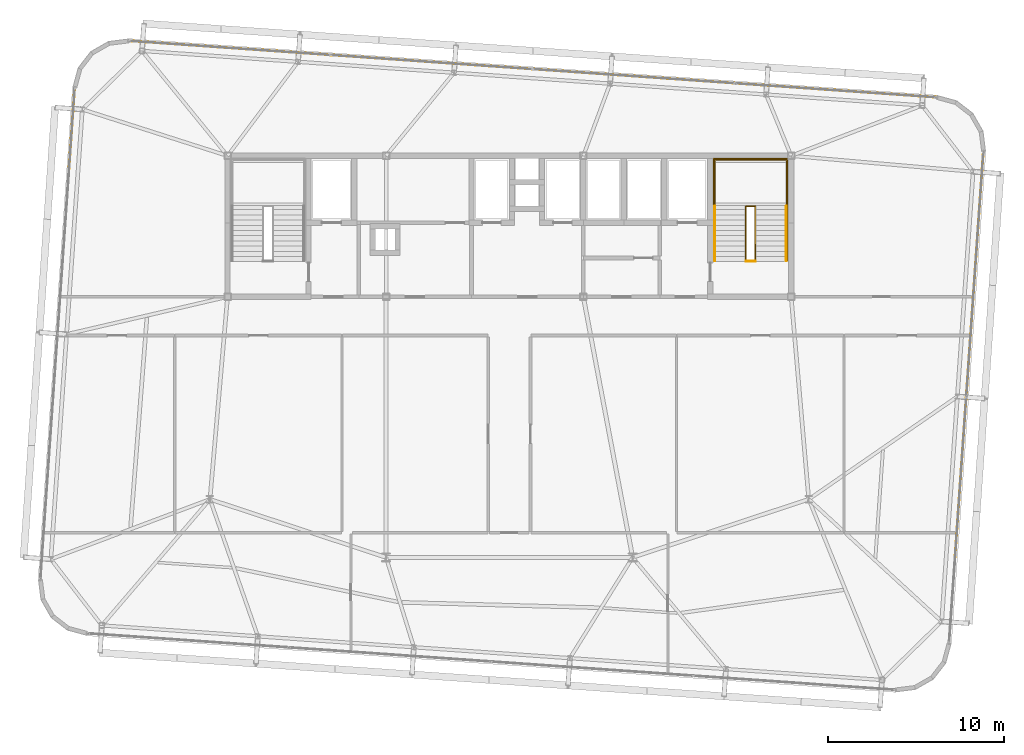
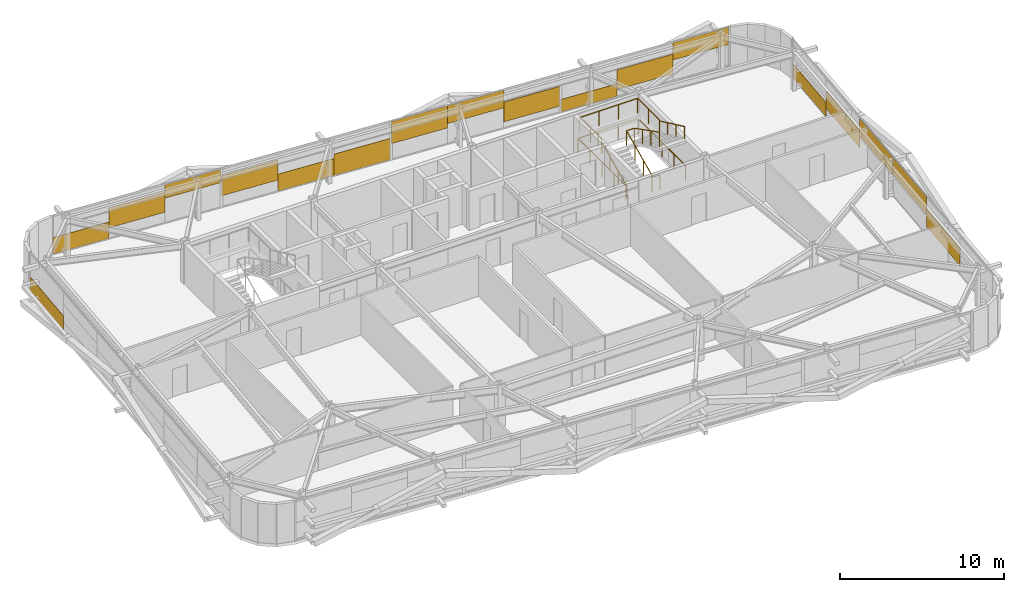
# One storey, part 39 of 39: 18 coverings, 6 railings.
"""IFC4 building model written with IfcOpenShell, lengths in metres."""

import ifcopenshell
import ifcopenshell.guid

model = None  # the IFC model being written
_history = None  # IfcOwnerHistory: only IFC2X3 demands one
_inside = {}  # id of a spatial element -> (the spatial element, [elements in it])
_under = {}  # id of a project, library or spatial element -> (it, [spatial elements below it])
_declared = {}  # id of a project -> (the project, [libraries it declares])
_typed = {}  # id of a type object -> (the type object, [elements of that type])
_made_of = {}  # id of a material, layer set ... -> (it, [elements and type objects made of it])


def new_model(schema):
    """Start an empty IFC model of exactly this schema.

    Asked for "IFC4X3", IfcOpenShell would pick the latest addendum, in which some entities
    have other attributes; the version numbers below select the first issue.
    IFC2X3 requires an IfcOwnerHistory on every rooted entity: one is made here for all.
    """
    global model, _history
    if schema == "IFC4X3":
        model = ifcopenshell.file(schema_version=(4, 3, 0, 0))
    else:
        model = ifcopenshell.file(schema=schema)
    _inside.clear()
    _under.clear()
    _declared.clear()
    _typed.clear()
    _made_of.clear()
    _history = None
    if model.schema == "IFC2X3":
        org = make("IfcOrganization", Name="unknown")
        user = make(
            "IfcPersonAndOrganization",
            ThePerson=make("IfcPerson", FamilyName="unknown"),
            TheOrganization=org,
        )
        app = make(
            "IfcApplication",
            ApplicationDeveloper=org,
            Version="unknown",
            ApplicationFullName="unknown",
            ApplicationIdentifier="unknown",
        )
        _history = make(
            "IfcOwnerHistory",
            OwningUser=user,
            OwningApplication=app,
            ChangeAction="ADDED",
            CreationDate=0,
        )
    return model


def make(cls, **values):
    """One entity of the class cls with the attributes given. An attribute that is None is left unset."""
    return model.create_entity(
        cls, **{name: value for name, value in values.items() if value is not None}
    )


def rooted(cls, **values):
    """An entity with a GlobalId (a new one), such as an element, a storey or a relation."""
    return make(cls, GlobalId=ifcopenshell.guid.new(), OwnerHistory=_history, **values)


def si_unit(unit_type, name, prefix=None):
    """IfcSIUnit, for example si_unit("LENGTHUNIT", "METRE", prefix="MILLI")."""
    return make("IfcSIUnit", UnitType=unit_type, Prefix=prefix, Name=name)


def assignment(units):
    """IfcUnitAssignment: the units of a project."""
    return None if units is None else make("IfcUnitAssignment", Units=units)


def point(xyz):
    """IfcCartesianPoint."""
    return None if xyz is None else make("IfcCartesianPoint", Coordinates=xyz)


def direction(xyz):
    """IfcDirection."""
    return None if xyz is None else make("IfcDirection", DirectionRatios=xyz)


def frame(location, z_axis=None, x_axis=None):
    """IfcAxis2Placement3D, a coordinate frame: its origin and axes. An axis left out is left unset."""
    return make(
        "IfcAxis2Placement3D",
        Location=point(location),
        Axis=direction(z_axis),
        RefDirection=direction(x_axis),
    )


def frame_2d(location, x_axis=None):
    """IfcAxis2Placement2D, a coordinate frame in the plane: its origin and x axis."""
    return make(
        "IfcAxis2Placement2D", Location=point(location), RefDirection=direction(x_axis)
    )


def origin():
    """The frame at (0, 0, 0) with its axes left unset."""
    return frame((0.0, 0.0, 0.0))


def origin_2d():
    """The frame at (0, 0) in the plane with its x axis left unset."""
    return frame_2d((0.0, 0.0))


def place(relative_to, where):
    """IfcLocalPlacement: puts the frame where relative to a parent placement (None: the world)."""
    return make(
        "IfcLocalPlacement", PlacementRelTo=relative_to, RelativePlacement=where
    )


def context(
    kind, dimensions, precision=None, world=None, true_north=None, identifier=None
):
    """IfcGeometricRepresentationContext, for example the 3D "Model" context."""
    return make(
        "IfcGeometricRepresentationContext",
        ContextIdentifier=identifier,
        ContextType=kind,
        CoordinateSpaceDimension=dimensions,
        Precision=precision,
        WorldCoordinateSystem=world,
        TrueNorth=true_north,
    )


def subcontext(parent, identifier, kind, view, scale=None):
    """IfcGeometricRepresentationSubContext, for example "Body" below "Model"."""
    return make(
        "IfcGeometricRepresentationSubContext",
        ContextIdentifier=identifier,
        ContextType=kind,
        ParentContext=parent,
        TargetScale=scale,
        TargetView=view,
    )


def project(units=None, contexts=None):
    """IfcProject with its units and contexts."""
    return rooted(
        "IfcProject",
        Name="project",
        RepresentationContexts=contexts,
        UnitsInContext=assignment(units),
    )


def spatial(cls, under=None, at=None, **own):
    """A site, building, storey or space (cls), placed at a placement, below another one or the project."""
    s = rooted(cls, ObjectPlacement=at, **own)
    if under is not None:
        _under.setdefault(under.id(), (under, []))[1].append(s)
    return s


def profile(cls, at=None, kind="AREA", **sizes):
    """A parametric profile (cls). Its sizes go by their IFC names, for example OverallWidth=200.0."""
    return make(cls, ProfileType=kind, Position=at, **sizes)


def rectangle(**sizes):
    """IfcRectangleProfileDef."""
    return profile("IfcRectangleProfileDef", **sizes)


def extrude(swept, where, along, depth):
    """IfcExtrudedAreaSolid: the profile swept, set in the frame where, extruded along a direction by depth."""
    return make(
        "IfcExtrudedAreaSolid",
        SweptArea=swept,
        Position=where,
        ExtrudedDirection=direction(along),
        Depth=depth,
    )


def shape(context_of_items, identifier, shape_type, items):
    """IfcShapeRepresentation: the items that make up one representation, for example the "Body"."""
    return make(
        "IfcShapeRepresentation",
        ContextOfItems=context_of_items,
        RepresentationIdentifier=identifier,
        RepresentationType=shape_type,
        Items=items,
    )


def source(mapping_origin, context_of_items, identifier, shape_type, items):
    """IfcRepresentationMap: a shape defined once, which mapped items show again and again."""
    return make(
        "IfcRepresentationMap",
        MappingOrigin=mapping_origin,
        MappedRepresentation=shape(context_of_items, identifier, shape_type, items),
    )


def transform(
    local_origin,
    x_axis=None,
    y_axis=None,
    z_axis=None,
    scale=None,
    scale2=None,
    scale3=None,
    uniform=True,
):
    """IfcCartesianTransformationOperator3D, or its non-uniform kind. x_axis, y_axis, z_axis: its Axis1, 2, 3."""
    if uniform:
        return make(
            "IfcCartesianTransformationOperator3D",
            Axis1=direction(x_axis),
            Axis2=direction(y_axis),
            LocalOrigin=point(local_origin),
            Scale=scale,
            Axis3=direction(z_axis),
        )
    return make(
        "IfcCartesianTransformationOperator3DnonUniform",
        Axis1=direction(x_axis),
        Axis2=direction(y_axis),
        LocalOrigin=point(local_origin),
        Scale=scale,
        Axis3=direction(z_axis),
        Scale2=scale2,
        Scale3=scale3,
    )


def mapped(mapping_source, mapping_target):
    """IfcMappedItem: shows the shape of a source again, moved by a transform."""
    return make(
        "IfcMappedItem", MappingSource=mapping_source, MappingTarget=mapping_target
    )


def material(Name=None, Category=None):
    """IfcMaterial."""
    return make("IfcMaterial", Name=Name, Category=Category)


def layer(
    of_material, thickness, ventilated=None, Name=None, Category=None, Priority=None
):
    """IfcMaterialLayer: one layer of a wall or slab, of a material (None: an air gap)."""
    return make(
        "IfcMaterialLayer",
        Material=of_material,
        LayerThickness=thickness,
        IsVentilated=ventilated,
        Name=Name,
        Category=Category,
        Priority=Priority,
    )


def layer_set(layers, Name=None):
    """IfcMaterialLayerSet."""
    return make("IfcMaterialLayerSet", MaterialLayers=layers, LayerSetName=Name)


def made_of(thing, what):
    """Note that an element or type object is made of a material, layer set ...; save() writes the relation."""
    if what is not None:
        _made_of.setdefault(what.id(), (what, []))[1].append(thing)
    return thing


def type_object(cls, material=None, **own):
    """A type object (cls), such as IfcWallType, which elements share."""
    return made_of(rooted(cls, **own), material)


def element(
    cls,
    number,
    at=None,
    inside=None,
    cuts=None,
    type_object=None,
    material=None,
    context=None,
    identifier="Body",
    shape_type=None,
    held_by="IfcProductDefinitionShape",
    body=None,
    shapes=None,
    **own,
):
    """One element of the class cls, such as IfcWall. Its Tag is "e" and its number.

    at: its placement. inside: the storey or other place that contains it. cuts: it is an
    opening in that element (IfcRelVoidsElement). A single representation is given by context,
    identifier, shape_type and body (its items); several are given by shapes. held_by: the class
    of the entity that holds the representations. save() writes the other relations.
    """
    e = rooted(cls, Tag="e%d" % number, ObjectPlacement=at, **own)
    if body is not None:
        shapes = [shape(context, identifier, shape_type, body)]
    if shapes is not None:
        e.Representation = make(held_by, Representations=shapes)
    if inside is not None:
        _inside.setdefault(inside.id(), (inside, []))[1].append(e)
    if cuts is not None:
        rooted(
            "IfcRelVoidsElement", RelatingBuildingElement=cuts, RelatedOpeningElement=e
        )
    if type_object is not None:
        _typed.setdefault(type_object.id(), (type_object, []))[1].append(e)
    return made_of(e, material)


def aggregate(whole, parts):
    """IfcRelAggregates: a whole, such as a stair, and the parts it consists of."""
    return rooted("IfcRelAggregates", RelatingObject=whole, RelatedObjects=parts)


def save(model, path):
    """Write the relations noted so far, then the file.

    IfcRelAggregates (storeys below a building ...), IfcRelContainedInSpatialStructure (elements
    in a storey), IfcRelDefinesByType, IfcRelAssociatesMaterial and IfcRelDeclares: one each for
    every whole, place, type object, material and project.
    """
    for whole, parts in _under.values():
        aggregate(whole, parts)
    for where, things in _inside.values():
        rooted(
            "IfcRelContainedInSpatialStructure",
            RelatedElements=things,
            RelatingStructure=where,
        )
    for kind, things in _typed.values():
        rooted("IfcRelDefinesByType", RelatedObjects=things, RelatingType=kind)
    for what, things in _made_of.values():
        rooted("IfcRelAssociatesMaterial", RelatedObjects=things, RelatingMaterial=what)
    for by, libraries in _declared.values():
        rooted("IfcRelDeclares", RelatingContext=by, RelatedDefinitions=libraries)
    model.write(path)


model = new_model("IFC4")

# Units and contexts
model_context = context("Model", 3, precision=1e-05, world=origin(), true_north=direction((0.0, 1.0)))
body_context = subcontext(model_context, "Body", "Model", "MODEL_VIEW")
ifc_project = project(units=[si_unit("LENGTHUNIT", "METRE"), si_unit("AREAUNIT", "SQUARE_METRE"), si_unit("VOLUMEUNIT", "CUBIC_METRE"), si_unit("PLANEANGLEUNIT", "RADIAN"), si_unit("MASSUNIT", "GRAM", prefix="KILO")], contexts=[model_context])

# Site, building, storey
site_placement = place(None, origin())
site = spatial("IfcSite", under=ifc_project, at=site_placement, CompositionType="ELEMENT")
building_placement = place(site_placement, origin())
building = spatial("IfcBuilding", under=site, at=building_placement, Name="Taldren Reach Tower", CompositionType="ELEMENT")
storey_placement = place(building_placement, frame((0.0, 0.0, 126.699951171875)))
storey = spatial("IfcBuildingStorey", under=building, at=storey_placement, Name="L38", CompositionType="ELEMENT", Elevation=126.699951171875)

# Railings
ifc_material_1 = material(Name="Steel Gr 350 (C350L0)", Category="steel")
ifc_layer_1 = layer(ifc_material_1, 0.050048828125)
ifc_layer_set_1 = layer_set([ifc_layer_1], Name="Steel Gr 350 (C350L0)")
railing_type_1 = type_object("IfcRailingType", Name="RL-STAIR-GR", PredefinedType="GUARDRAIL", material=ifc_layer_set_1)
railing_1_placement = place(storey_placement, frame((46.659912109375, 29.135009765625, 1.574951171875)))
element("IfcRailing", 1, at=railing_1_placement, inside=storey, type_object=railing_type_1, Name="Stair half-landing perimeter guard ST2-L38", PredefinedType="GUARDRAIL", context=body_context, shape_type="SweptSolid", body=[
    extrude(rectangle(XDim=0.047852, YDim=0.047852, at=origin_2d()), frame((0.0, 0.0, 1.09619140625), z_axis=(0.0, 1.0, 0.0), x_axis=(-1.0, 0.0, 0.0)), (0.0, 0.0, 1.0), 2.64501953125),
    extrude(rectangle(XDim=0.047852, YDim=0.047852, at=origin_2d()), frame((0.0, 2.64501953125, 1.09619140625), z_axis=(1.0, 0.0, 0.0), x_axis=(0.0, 1.0, 0.0)), (0.0, 0.0, 1.0), 4.080078125),
    extrude(rectangle(XDim=0.047852, YDim=0.047852, at=origin_2d()), frame((4.080078125, 2.64501953125, 1.09619140625), z_axis=(0.0, -1.0, 0.0), x_axis=(1.0, 0.0, 0.0)), (0.0, 0.0, 1.0), 2.64501953125),
    extrude(rectangle(XDim=0.041992, YDim=0.041992, at=origin_2d()), origin(), (0.0, 0.0, 1.0), 1.072021484375),
    extrude(rectangle(XDim=0.041992, YDim=0.041992, at=origin_2d()), frame((0.0, 1.322509765625, 0.0)), (0.0, 0.0, 1.0), 1.072021484375),
    extrude(rectangle(XDim=0.041992, YDim=0.041992, at=origin_2d()), frame((0.0, 2.64501953125, 0.0)), (0.0, 0.0, 1.0), 1.072021484375),
    extrude(rectangle(XDim=0.041992, YDim=0.041992, at=origin_2d()), frame((1.360107421875, 2.64501953125, 0.0)), (0.0, 0.0, 1.0), 1.072021484375),
    extrude(rectangle(XDim=0.041992, YDim=0.041992, at=origin_2d()), frame((2.719970703125, 2.64501953125, 0.0)), (0.0, 0.0, 1.0), 1.072021484375),
    extrude(rectangle(XDim=0.041992, YDim=0.041992, at=origin_2d()), frame((4.080078125, 2.64501953125, 0.0)), (0.0, 0.0, 1.0), 1.072021484375),
    extrude(rectangle(XDim=0.041992, YDim=0.041992, at=origin_2d()), frame((4.080078125, 1.322509765625, 0.0)), (0.0, 0.0, 1.0), 1.072021484375),
    extrude(rectangle(XDim=0.041992, YDim=0.041992, at=origin_2d()), frame((4.080078125, 0.0, 0.0)), (0.0, 0.0, 1.0), 1.072021484375),
])
railing_2_placement = place(storey_placement, frame((48.429931640625, 26.050048828125, 0.13134765625)))
element("IfcRailing", 2, at=railing_2_placement, inside=storey, type_object=railing_type_1, Name="Stairwell inner guard ST2-L38", PredefinedType="GUARDRAIL", context=body_context, shape_type="SweptSolid", body=[
    extrude(rectangle(XDim=0.047852, YDim=0.047852, at=origin_2d()), frame((0.0, 0.0, 1.09619140625), z_axis=(0.0, 0.905737652094, 0.423838773095), x_axis=(-1.0, 0.0, 0.0)), (0.0, 0.0, 1.0), 3.406005859375),
    extrude(rectangle(XDim=0.047852, YDim=0.047852, at=origin_2d()), frame((0.0, 3.0849609375, 2.53955078125), z_axis=(1.0, 0.0, 0.0), x_axis=(0.0, 1.0, 0.0)), (0.0, 0.0, 1.0), 0.5400390625),
    extrude(rectangle(XDim=0.047852, YDim=0.047852, at=origin_2d()), frame((0.5400390625, 3.0849609375, 2.53955078125), z_axis=(0.0, -0.890617412389, 0.454753366946), x_axis=(1.0, 0.0, 0.0)), (0.0, 0.0, 1.0), 3.4638671875),
    extrude(rectangle(XDim=0.041992, YDim=0.041992, at=origin_2d()), origin(), (0.0, 0.0, 1.0), 1.072021484375),
    extrude(rectangle(XDim=0.041992, YDim=0.041992, at=origin_2d()), frame((0.0, 1.0283203125, 0.481201171875)), (0.0, 0.0, 1.0), 1.072021484375),
    extrude(rectangle(XDim=0.041992, YDim=0.041992, at=origin_2d()), frame((0.0, 2.056640625, 0.96240234375)), (0.0, 0.0, 1.0), 1.072021484375),
    extrude(rectangle(XDim=0.041992, YDim=0.041992, at=origin_2d()), frame((0.0, 3.0849609375, 1.443603515625)), (0.0, 0.0, 1.0), 1.072021484375),
    extrude(rectangle(XDim=0.041992, YDim=0.041992, at=origin_2d()), frame((0.5400390625, 3.0849609375, 1.443603515625)), (0.0, 0.0, 1.0), 1.072021484375),
    extrude(rectangle(XDim=0.041992, YDim=0.041992, at=origin_2d()), frame((0.5400390625, 2.056640625, 1.96875)), (0.0, 0.0, 1.0), 1.072021484375),
    extrude(rectangle(XDim=0.041992, YDim=0.041992, at=origin_2d()), frame((0.5400390625, 1.0283203125, 2.49365234375)), (0.0, 0.0, 1.0), 1.072021484375),
    extrude(rectangle(XDim=0.041992, YDim=0.041992, at=origin_2d()), frame((0.5400390625, 0.0, 3.018798828125)), (0.0, 0.0, 1.0), 1.072021484375),
])
railing_3_placement = place(storey_placement, frame((48.429931640625, 26.010009765625, 0.0)))
element("IfcRailing", 3, at=railing_3_placement, inside=storey, type_object=railing_type_1, Name="Stairwell landing slot guard ST2-L38", PredefinedType="GUARDRAIL", context=body_context, shape_type="SweptSolid", body=[
    extrude(rectangle(XDim=0.047852, YDim=0.047852, at=origin_2d()), frame((0.0, 0.0, 1.09619140625), z_axis=(1.0, 0.0, 0.0), x_axis=(0.0, 1.0, 0.0)), (0.0, 0.0, 1.0), 0.5400390625),
    extrude(rectangle(XDim=0.041992, YDim=0.041992, at=origin_2d()), origin(), (0.0, 0.0, 1.0), 1.072021484375),
    extrude(rectangle(XDim=0.041992, YDim=0.041992, at=origin_2d()), frame((0.5400390625, 0.0, 0.0)), (0.0, 0.0, 1.0), 1.072021484375),
])
railing_4_placement = place(storey_placement, frame((46.590087890625, 26.050048828125, 0.0)))
element("IfcRailing", 4, at=railing_4_placement, inside=storey, type_object=railing_type_1, Name="Stairwell floor opening guard ST2-L38", PredefinedType="GUARDRAIL", context=body_context, shape_type="SweptSolid", body=[
    extrude(rectangle(XDim=0.047852, YDim=0.047852, at=origin_2d()), frame((0.0, 0.0, 1.09619140625), z_axis=(0.0, 1.0, 0.0), x_axis=(-1.0, 0.0, 0.0)), (0.0, 0.0, 1.0), 5.800048828125),
    extrude(rectangle(XDim=0.047852, YDim=0.047852, at=origin_2d()), frame((0.0, 5.800048828125, 1.09619140625), z_axis=(1.0, 0.0, 0.0), x_axis=(0.0, 1.0, 0.0)), (0.0, 0.0, 1.0), 4.219970703125),
    extrude(rectangle(XDim=0.047852, YDim=0.047852, at=origin_2d()), frame((4.219970703125, 5.800048828125, 1.09619140625), z_axis=(0.0, -1.0, 0.0), x_axis=(1.0, 0.0, 0.0)), (0.0, 0.0, 1.0), 5.800048828125),
    extrude(rectangle(XDim=0.041992, YDim=0.041992, at=origin_2d()), origin(), (0.0, 0.0, 1.0), 1.072021484375),
    extrude(rectangle(XDim=0.041992, YDim=0.041992, at=origin_2d()), frame((0.0, 1.449951171875, 0.0)), (0.0, 0.0, 1.0), 1.072021484375),
    extrude(rectangle(XDim=0.041992, YDim=0.041992, at=origin_2d()), frame((0.0, 2.89990234375, 0.0)), (0.0, 0.0, 1.0), 1.072021484375),
    extrude(rectangle(XDim=0.041992, YDim=0.041992, at=origin_2d()), frame((0.0, 4.35009765625, 0.0)), (0.0, 0.0, 1.0), 1.072021484375),
    extrude(rectangle(XDim=0.041992, YDim=0.041992, at=origin_2d()), frame((0.0, 5.800048828125, 0.0)), (0.0, 0.0, 1.0), 1.072021484375),
    extrude(rectangle(XDim=0.041992, YDim=0.041992, at=origin_2d()), frame((1.40673828125, 5.800048828125, 0.0)), (0.0, 0.0, 1.0), 1.072021484375),
    extrude(rectangle(XDim=0.041992, YDim=0.041992, at=origin_2d()), frame((2.813232421875, 5.800048828125, 0.0)), (0.0, 0.0, 1.0), 1.072021484375),
    extrude(rectangle(XDim=0.041992, YDim=0.041992, at=origin_2d()), frame((4.219970703125, 5.800048828125, 0.0)), (0.0, 0.0, 1.0), 1.072021484375),
    extrude(rectangle(XDim=0.041992, YDim=0.041992, at=origin_2d()), frame((4.219970703125, 4.35009765625, 0.0)), (0.0, 0.0, 1.0), 1.072021484375),
    extrude(rectangle(XDim=0.041992, YDim=0.041992, at=origin_2d()), frame((4.219970703125, 2.89990234375, 0.0)), (0.0, 0.0, 1.0), 1.072021484375),
    extrude(rectangle(XDim=0.041992, YDim=0.041992, at=origin_2d()), frame((4.219970703125, 1.449951171875, 0.0)), (0.0, 0.0, 1.0), 1.072021484375),
    extrude(rectangle(XDim=0.041992, YDim=0.041992, at=origin_2d()), frame((4.219970703125, 0.0, 0.0)), (0.0, 0.0, 1.0), 1.072021484375),
])
ifc_material_2 = material(Name="Stainless Steel Gr 316", Category="steel")
ifc_layer_2 = layer(ifc_material_2, 0.048095703125)
ifc_layer_set_2 = layer_set([ifc_layer_2], Name="Stainless Steel Gr 316")
railing_type_2 = type_object("IfcRailingType", Name="RL-STAIR-HR", PredefinedType="HANDRAIL", material=ifc_layer_set_2)
railing_5_placement = place(storey_placement, frame((46.669921875, 26.050048828125, 0.13134765625)))
element("IfcRailing", 5, at=railing_5_placement, inside=storey, type_object=railing_type_2, Name="Stair flight handrail ST2-L38-1", PredefinedType="HANDRAIL", context=body_context, shape_type="SweptSolid", body=[
    extrude(rectangle(XDim=0.047852, YDim=0.047852, at=origin_2d()), frame((0.0, 0.0, 0.89599609375), z_axis=(0.0, 0.905737652094, 0.423838773095), x_axis=(-1.0, 0.0, 0.0)), (0.0, 0.0, 1.0), 3.406005859375),
    extrude(rectangle(XDim=0.041992, YDim=0.041992, at=origin_2d()), origin(), (0.0, 0.0, 1.0), 0.871826171875),
    extrude(rectangle(XDim=0.041992, YDim=0.041992, at=origin_2d()), frame((0.0, 1.0283203125, 0.481201171875)), (0.0, 0.0, 1.0), 0.871826171875),
    extrude(rectangle(XDim=0.041992, YDim=0.041992, at=origin_2d()), frame((0.0, 2.056640625, 0.96240234375)), (0.0, 0.0, 1.0), 0.871826171875),
    extrude(rectangle(XDim=0.041992, YDim=0.041992, at=origin_2d()), frame((0.0, 3.0849609375, 1.443603515625)), (0.0, 0.0, 1.0), 0.871826171875),
])
railing_6_placement = place(storey_placement, frame((50.72998046875, 29.135009765625, 1.706298828125)))
element("IfcRailing", 6, at=railing_6_placement, inside=storey, type_object=railing_type_2, Name="Stair flight handrail ST2-L38-2", PredefinedType="HANDRAIL", context=body_context, shape_type="SweptSolid", body=[
    extrude(rectangle(XDim=0.047852, YDim=0.047852, at=origin_2d()), frame((0.0, 0.0, 0.89599609375), z_axis=(0.0, -0.905710134349, 0.423897573167), x_axis=(1.0, 0.0, 0.0)), (0.0, 0.0, 1.0), 3.406005859375),
    extrude(rectangle(XDim=0.041992, YDim=0.041992, at=origin_2d()), origin(), (0.0, 0.0, 1.0), 0.871826171875),
    extrude(rectangle(XDim=0.041992, YDim=0.041992, at=origin_2d()), frame((0.0, -1.0283203125, 0.481201171875)), (0.0, 0.0, 1.0), 0.871826171875),
    extrude(rectangle(XDim=0.041992, YDim=0.041992, at=origin_2d()), frame((0.0, -2.056640625, 0.962646484375)), (0.0, 0.0, 1.0), 0.871826171875),
    extrude(rectangle(XDim=0.041992, YDim=0.041992, at=origin_2d()), frame((0.0, -3.0849609375, 1.44384765625)), (0.0, 0.0, 1.0), 0.871826171875),
])

# Coverings
ifc_material_3 = material(Name="Pale Champagne Fluoropolymer Aluminium Spandrel Cladding", Category="aluminium")
ifc_layer_3 = layer(ifc_material_3, 0.0439453125)
ifc_layer_set_3 = layer_set([ifc_layer_3], Name="Pale Champagne Fluoropolymer Aluminium Spandrel Cladding")
covering_type = type_object("IfcCoveringType", Name="CV-CLAD-044", PredefinedType="CLADDING", material=ifc_layer_set_3)
shared_shape_1 = source(origin(), body_context, "Body", "SweptSolid", [
    extrude(rectangle(XDim=3.79833984375, YDim=0.0439453125, at=origin_2d()), origin(), (0.0, 0.0, 1.0), 1.22216796875),
])
covering_1_placement = place(storey_placement, frame((15.346435546875, 38.385986328125, 0.05517578125), z_axis=(0.0, 0.0, 1.0), x_axis=(-0.99756404731, 0.06975651593, 0.0)))
element("IfcCovering", 7, at=covering_1_placement, inside=storey, type_object=covering_type, Name="Diagrid closure cladding strip CW-4 panel 4.1 3", PredefinedType="CLADDING", context=body_context, shape_type="MappedRepresentation", body=[
    mapped(shared_shape_1, transform((0.0, 0.0, 0.0), scale=1.0)),
])
shared_shape_2 = source(origin(), body_context, "Body", "SweptSolid", [
    extrude(rectangle(XDim=3.79833984375, YDim=0.0439453125, at=origin_2d()), origin(), (0.0, 0.0, 1.0), 1.474365234375),
])
for number, where, z_axis, x_axis, name in (
    (8, (53.5166015625, 35.716796875, 0.5537109375), (0.0, 0.0, 1.0), (-0.99756404731, 0.06975651593, 0.0), "Diagrid closure cladding strip CW-4 panel 1.1 2"),
    (9, (19.135498046875, 38.12109375, 0.84228515625), (0.0, 0.0, 1.0), (-0.99756404731, 0.06975651593, 0.0), "Diagrid closure cladding strip CW-4 panel 4.1 2"),
):
    element("IfcCovering", number, at=place(storey_placement, frame(where, z_axis=z_axis, x_axis=x_axis)), inside=storey, type_object=covering_type, Name=name, PredefinedType="CLADDING", context=body_context, shape_type="MappedRepresentation", body=[
        mapped(shared_shape_2, transform((0.0, 0.0, 0.0), scale=1.0)),
    ])
shared_shape_3 = source(origin(), body_context, "Body", "SweptSolid", [
    extrude(rectangle(XDim=3.79833984375, YDim=0.0439453125, at=origin_2d()), origin(), (0.0, 0.0, 1.0), 0.993408203125),
])
covering_2_placement = place(storey_placement, frame((22.924560546875, 37.85595703125, 1.8818359375), z_axis=(0.0, 0.0, 1.0), x_axis=(-0.99756404731, 0.06975651593, 0.0)))
element("IfcCovering", 10, at=covering_2_placement, inside=storey, type_object=covering_type, Name="Diagrid closure cladding strip CW-4 panel 4.1 1", PredefinedType="CLADDING", context=body_context, shape_type="MappedRepresentation", body=[
    mapped(shared_shape_3, transform((0.0, 0.0, 0.0), scale=1.0)),
])
shared_shape_4 = source(origin(), body_context, "Body", "SweptSolid", [
    extrude(rectangle(XDim=3.81005859375, YDim=0.0439453125, at=origin_2d()), origin(), (0.0, 0.0, 1.0), 1.477783203125),
])
for number, where, z_axis, x_axis, name in (
    (11, (45.86279296875, 36.251953125, 0.51025390625), (0.0, 0.0, 1.0), (-0.99756404731, 0.06975651593, 0.0), "Diagrid closure cladding strip CW-4 panel 2.1 1"),
    (12, (26.789306640625, 37.585693359375, 0.88232421875), (0.0, 0.0, 1.0), (-0.99756404731, 0.06975651593, 0.0), "Diagrid closure cladding strip CW-4 panel 3.1 3"),
):
    element("IfcCovering", number, at=place(storey_placement, frame(where, z_axis=z_axis, x_axis=x_axis)), inside=storey, type_object=covering_type, Name=name, PredefinedType="CLADDING", context=body_context, shape_type="MappedRepresentation", body=[
        mapped(shared_shape_4, transform((0.0, 0.0, 0.0), scale=1.0)),
    ])
shared_shape_5 = source(origin(), body_context, "Body", "SweptSolid", [
    extrude(rectangle(XDim=3.81005859375, YDim=0.0439453125, at=origin_2d()), origin(), (0.0, 0.0, 1.0), 1.26220703125),
])
covering_3_placement = place(storey_placement, frame((30.590087890625, 37.320068359375, 0.05517578125), z_axis=(0.0, 0.0, 1.0), x_axis=(-0.99756404731, 0.06975651593, 0.0)))
element("IfcCovering", 13, at=covering_3_placement, inside=storey, type_object=covering_type, Name="Diagrid closure cladding strip CW-4 panel 3.1 2", PredefinedType="CLADDING", context=body_context, shape_type="MappedRepresentation", body=[
    mapped(shared_shape_5, transform((0.0, 0.0, 0.0), scale=1.0)),
])
shared_shape_6 = source(origin(), body_context, "Body", "SweptSolid", [
    extrude(rectangle(XDim=3.81005859375, YDim=0.0439453125, at=origin_2d()), origin(), (0.0, 0.0, 1.0), 1.587890625),
])
covering_4_placement = place(storey_placement, frame((34.390869140625, 37.05419921875, 0.05517578125), z_axis=(0.0, 0.0, 1.0), x_axis=(-0.99756404731, 0.06975651593, 0.0)))
element("IfcCovering", 14, at=covering_4_placement, inside=storey, type_object=covering_type, Name="Diagrid closure cladding strip CW-4 panel 3.1 1", PredefinedType="CLADDING", context=body_context, shape_type="MappedRepresentation", body=[
    mapped(shared_shape_6, transform((0.0, 0.0, 0.0), scale=1.0)),
])
shared_shape_7 = source(origin(), body_context, "Body", "SweptSolid", [
    extrude(rectangle(XDim=3.81005859375, YDim=0.0439453125, at=origin_2d()), origin(), (0.0, 0.0, 1.0), 1.64794921875),
])
covering_5_placement = place(storey_placement, frame((38.261474609375, 36.78369140625, 1.22705078125), z_axis=(0.0, 0.0, 1.0), x_axis=(-0.99756404731, 0.06975651593, 0.0)))
element("IfcCovering", 15, at=covering_5_placement, inside=storey, type_object=covering_type, Name="Diagrid closure cladding strip CW-4 panel 2.1 3", PredefinedType="CLADDING", context=body_context, shape_type="MappedRepresentation", body=[
    mapped(shared_shape_7, transform((0.0, 0.0, 0.0), scale=1.0)),
])
shared_shape_8 = source(origin(), body_context, "Body", "SweptSolid", [
    extrude(rectangle(XDim=3.81005859375, YDim=0.0439453125, at=origin_2d()), origin(), (0.0, 0.0, 1.0), 1.322265625),
])
covering_6_placement = place(storey_placement, frame((42.06201171875, 36.517822265625, 1.552734375), z_axis=(0.0, 0.0, 1.0), x_axis=(-0.99756404731, 0.06975651593, 0.0)))
element("IfcCovering", 16, at=covering_6_placement, inside=storey, type_object=covering_type, Name="Diagrid closure cladding strip CW-4 panel 2.1 2", PredefinedType="CLADDING", context=body_context, shape_type="MappedRepresentation", body=[
    mapped(shared_shape_8, transform((0.0, 0.0, 0.0), scale=1.0)),
])
shared_shape_9 = source(origin(), body_context, "Body", "SweptSolid", [
    extrude(rectangle(XDim=3.79833984375, YDim=0.0439453125, at=origin_2d()), origin(), (0.0, 0.0, 1.0), 0.93359375),
])
covering_7_placement = place(storey_placement, frame((49.7275390625, 35.981689453125, 0.054931640625), z_axis=(0.0, 0.0, 1.0), x_axis=(-0.99756404731, 0.06975651593, 0.0)))
element("IfcCovering", 17, at=covering_7_placement, inside=storey, type_object=covering_type, Name="Diagrid closure cladding strip CW-4 panel 1.1 3", PredefinedType="CLADDING", context=body_context, shape_type="MappedRepresentation", body=[
    mapped(shared_shape_9, transform((0.0, 0.0, 0.0), scale=1.0)),
])
shared_shape_10 = source(origin(), body_context, "Body", "SweptSolid", [
    extrude(rectangle(XDim=3.79833984375, YDim=0.0439453125, at=origin_2d()), origin(), (0.0, 0.0, 1.0), 1.2822265625),
])
covering_8_placement = place(storey_placement, frame((57.3056640625, 35.451904296875, 1.5927734375), z_axis=(0.0, 0.0, 1.0), x_axis=(-0.99756404731, 0.06975651593, 0.0)))
element("IfcCovering", 18, at=covering_8_placement, inside=storey, type_object=covering_type, Name="Diagrid closure cladding strip CW-4 panel 1.1 1", PredefinedType="CLADDING", context=body_context, shape_type="MappedRepresentation", body=[
    mapped(shared_shape_10, transform((0.0, 0.0, 0.0), scale=1.0)),
])
shared_shape_11 = source(origin(), body_context, "Body", "SweptSolid", [
    extrude(rectangle(XDim=4.631591796875, YDim=0.0439453125, at=origin_2d()), origin(), (0.0, 0.0, 1.0), 1.04345703125),
])
for number, where, z_axis, x_axis, name in (
    (19, (10.1630859375, 33.48974609375, 0.054931640625), (0.0, 0.0, 1.0), (-0.069756437251, -0.997564052812, 0.0), "Diagrid closure cladding strip CW-4 panel 1.1 1"),
    (20, (61.757080078125, 29.882080078125, 0.054931640625), (0.0, 0.0, 1.0), (0.069756437251, 0.997564052812, 0.0), "Diagrid closure cladding strip CW-4 panel 2.1 3"),
):
    element("IfcCovering", number, at=place(storey_placement, frame(where, z_axis=z_axis, x_axis=x_axis)), inside=storey, type_object=covering_type, Name=name, PredefinedType="CLADDING", context=body_context, shape_type="MappedRepresentation", body=[
        mapped(shared_shape_11, transform((0.0, 0.0, 0.0), scale=1.0)),
    ])
shared_shape_12 = source(origin(), body_context, "Body", "SweptSolid", [
    extrude(rectangle(XDim=4.631591796875, YDim=0.0439453125, at=origin_2d()), origin(), (0.0, 0.0, 1.0), 1.306640625),
])
for number, where, z_axis, x_axis, name in (
    (21, (60.4599609375, 11.33056640625, 0.671142578125), (0.0, 0.0, 1.0), (0.069756437251, 0.997564052812, 0.0), "Diagrid closure cladding strip CW-4 panel 1.1 2"),
    (22, (61.43408203125, 25.261474609375, 0.671142578125), (0.0, 0.0, 1.0), (0.069756437251, 0.997564052812, 0.0), "Diagrid closure cladding strip CW-4 panel 2.1 2"),
):
    element("IfcCovering", number, at=place(storey_placement, frame(where, z_axis=z_axis, x_axis=x_axis)), inside=storey, type_object=covering_type, Name=name, PredefinedType="CLADDING", context=body_context, shape_type="MappedRepresentation", body=[
        mapped(shared_shape_12, transform((0.0, 0.0, 0.0), scale=1.0)),
    ])
shared_shape_13 = source(origin(), body_context, "Body", "SweptSolid", [
    extrude(rectangle(XDim=4.631591796875, YDim=0.0439453125, at=origin_2d()), origin(), (0.0, 0.0, 1.0), 1.32470703125),
])
for number, where, z_axis, x_axis, name in (
    (23, (60.782958984375, 15.950927734375, 1.55029296875), (0.0, 0.0, 1.0), (0.069756437251, 0.997564052812, 0.0), "Diagrid closure cladding strip CW-4 panel 1.1 3"),
    (24, (61.111083984375, 20.64111328125, 1.55029296875), (0.0, 0.0, 1.0), (0.069756437251, 0.997564052812, 0.0), "Diagrid closure cladding strip CW-4 panel 2.1 1"),
):
    element("IfcCovering", number, at=place(storey_placement, frame(where, z_axis=z_axis, x_axis=x_axis)), inside=storey, type_object=covering_type, Name=name, PredefinedType="CLADDING", context=body_context, shape_type="MappedRepresentation", body=[
        mapped(shared_shape_13, transform((0.0, 0.0, 0.0), scale=1.0)),
    ])

save(model, "model.ifc")
